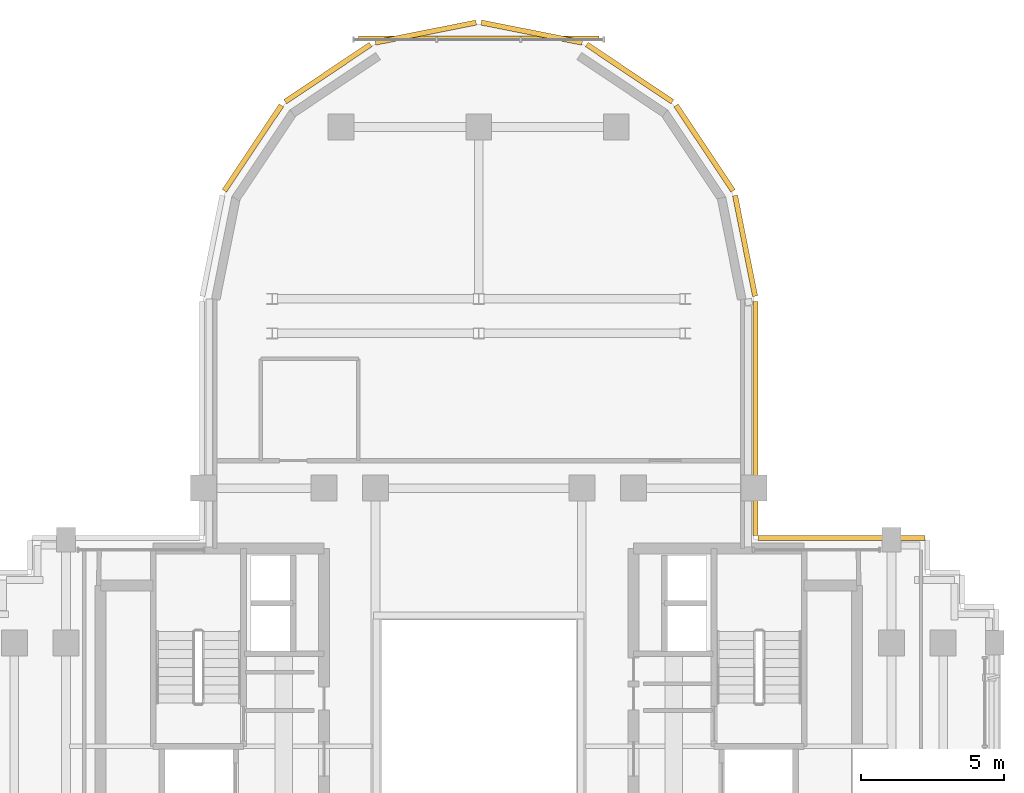
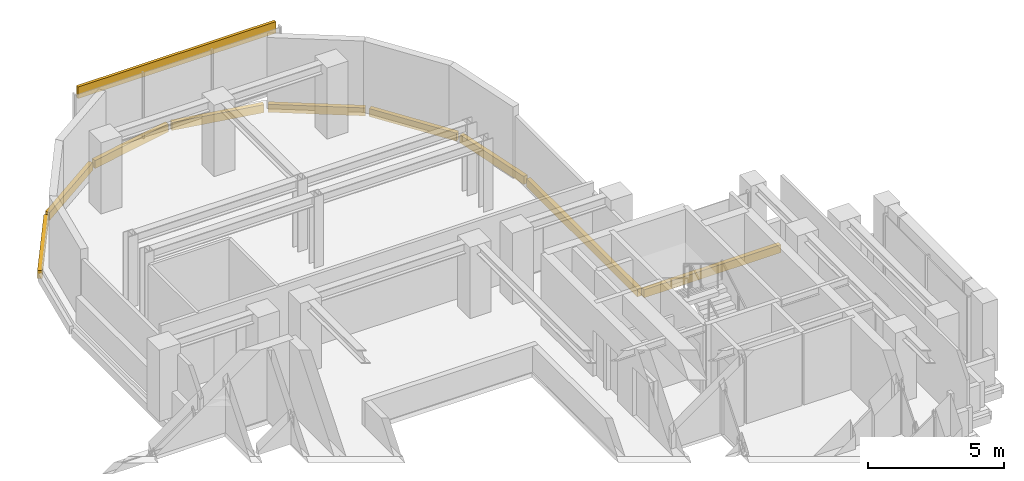
# One storey, part 11 of 11: 10 coverings.
"""IFC4 building model written with IfcOpenShell, lengths in metres."""

import ifcopenshell
import ifcopenshell.guid

model = None  # the IFC model being written
_history = None  # IfcOwnerHistory: only IFC2X3 demands one
_inside = {}  # id of a spatial element -> (the spatial element, [elements in it])
_under = {}  # id of a project, library or spatial element -> (it, [spatial elements below it])
_declared = {}  # id of a project -> (the project, [libraries it declares])
_typed = {}  # id of a type object -> (the type object, [elements of that type])
_made_of = {}  # id of a material, layer set ... -> (it, [elements and type objects made of it])


def new_model(schema):
    """Start an empty IFC model of exactly this schema.

    Asked for "IFC4X3", IfcOpenShell would pick the latest addendum, in which some entities
    have other attributes; the version numbers below select the first issue.
    IFC2X3 requires an IfcOwnerHistory on every rooted entity: one is made here for all.
    """
    global model, _history
    if schema == "IFC4X3":
        model = ifcopenshell.file(schema_version=(4, 3, 0, 0))
    else:
        model = ifcopenshell.file(schema=schema)
    _inside.clear()
    _under.clear()
    _declared.clear()
    _typed.clear()
    _made_of.clear()
    _history = None
    if model.schema == "IFC2X3":
        org = make("IfcOrganization", Name="unknown")
        user = make(
            "IfcPersonAndOrganization",
            ThePerson=make("IfcPerson", FamilyName="unknown"),
            TheOrganization=org,
        )
        app = make(
            "IfcApplication",
            ApplicationDeveloper=org,
            Version="unknown",
            ApplicationFullName="unknown",
            ApplicationIdentifier="unknown",
        )
        _history = make(
            "IfcOwnerHistory",
            OwningUser=user,
            OwningApplication=app,
            ChangeAction="ADDED",
            CreationDate=0,
        )
    return model


def make(cls, **values):
    """One entity of the class cls with the attributes given. An attribute that is None is left unset."""
    return model.create_entity(
        cls, **{name: value for name, value in values.items() if value is not None}
    )


def rooted(cls, **values):
    """An entity with a GlobalId (a new one), such as an element, a storey or a relation."""
    return make(cls, GlobalId=ifcopenshell.guid.new(), OwnerHistory=_history, **values)


def si_unit(unit_type, name, prefix=None):
    """IfcSIUnit, for example si_unit("LENGTHUNIT", "METRE", prefix="MILLI")."""
    return make("IfcSIUnit", UnitType=unit_type, Prefix=prefix, Name=name)


def assignment(units):
    """IfcUnitAssignment: the units of a project."""
    return None if units is None else make("IfcUnitAssignment", Units=units)


def point(xyz):
    """IfcCartesianPoint."""
    return None if xyz is None else make("IfcCartesianPoint", Coordinates=xyz)


def direction(xyz):
    """IfcDirection."""
    return None if xyz is None else make("IfcDirection", DirectionRatios=xyz)


def frame(location, z_axis=None, x_axis=None):
    """IfcAxis2Placement3D, a coordinate frame: its origin and axes. An axis left out is left unset."""
    return make(
        "IfcAxis2Placement3D",
        Location=point(location),
        Axis=direction(z_axis),
        RefDirection=direction(x_axis),
    )


def frame_2d(location, x_axis=None):
    """IfcAxis2Placement2D, a coordinate frame in the plane: its origin and x axis."""
    return make(
        "IfcAxis2Placement2D", Location=point(location), RefDirection=direction(x_axis)
    )


def origin():
    """The frame at (0, 0, 0) with its axes left unset."""
    return frame((0.0, 0.0, 0.0))


def origin_2d():
    """The frame at (0, 0) in the plane with its x axis left unset."""
    return frame_2d((0.0, 0.0))


def place(relative_to, where):
    """IfcLocalPlacement: puts the frame where relative to a parent placement (None: the world)."""
    return make(
        "IfcLocalPlacement", PlacementRelTo=relative_to, RelativePlacement=where
    )


def context(
    kind, dimensions, precision=None, world=None, true_north=None, identifier=None
):
    """IfcGeometricRepresentationContext, for example the 3D "Model" context."""
    return make(
        "IfcGeometricRepresentationContext",
        ContextIdentifier=identifier,
        ContextType=kind,
        CoordinateSpaceDimension=dimensions,
        Precision=precision,
        WorldCoordinateSystem=world,
        TrueNorth=true_north,
    )


def subcontext(parent, identifier, kind, view, scale=None):
    """IfcGeometricRepresentationSubContext, for example "Body" below "Model"."""
    return make(
        "IfcGeometricRepresentationSubContext",
        ContextIdentifier=identifier,
        ContextType=kind,
        ParentContext=parent,
        TargetScale=scale,
        TargetView=view,
    )


def project(units=None, contexts=None):
    """IfcProject with its units and contexts."""
    return rooted(
        "IfcProject",
        Name="project",
        RepresentationContexts=contexts,
        UnitsInContext=assignment(units),
    )


def spatial(cls, under=None, at=None, **own):
    """A site, building, storey or space (cls), placed at a placement, below another one or the project."""
    s = rooted(cls, ObjectPlacement=at, **own)
    if under is not None:
        _under.setdefault(under.id(), (under, []))[1].append(s)
    return s


def profile(cls, at=None, kind="AREA", **sizes):
    """A parametric profile (cls). Its sizes go by their IFC names, for example OverallWidth=200.0."""
    return make(cls, ProfileType=kind, Position=at, **sizes)


def rectangle(**sizes):
    """IfcRectangleProfileDef."""
    return profile("IfcRectangleProfileDef", **sizes)


def extrude(swept, where, along, depth):
    """IfcExtrudedAreaSolid: the profile swept, set in the frame where, extruded along a direction by depth."""
    return make(
        "IfcExtrudedAreaSolid",
        SweptArea=swept,
        Position=where,
        ExtrudedDirection=direction(along),
        Depth=depth,
    )


def shape(context_of_items, identifier, shape_type, items):
    """IfcShapeRepresentation: the items that make up one representation, for example the "Body"."""
    return make(
        "IfcShapeRepresentation",
        ContextOfItems=context_of_items,
        RepresentationIdentifier=identifier,
        RepresentationType=shape_type,
        Items=items,
    )


def source(mapping_origin, context_of_items, identifier, shape_type, items):
    """IfcRepresentationMap: a shape defined once, which mapped items show again and again."""
    return make(
        "IfcRepresentationMap",
        MappingOrigin=mapping_origin,
        MappedRepresentation=shape(context_of_items, identifier, shape_type, items),
    )


def transform(
    local_origin,
    x_axis=None,
    y_axis=None,
    z_axis=None,
    scale=None,
    scale2=None,
    scale3=None,
    uniform=True,
):
    """IfcCartesianTransformationOperator3D, or its non-uniform kind. x_axis, y_axis, z_axis: its Axis1, 2, 3."""
    if uniform:
        return make(
            "IfcCartesianTransformationOperator3D",
            Axis1=direction(x_axis),
            Axis2=direction(y_axis),
            LocalOrigin=point(local_origin),
            Scale=scale,
            Axis3=direction(z_axis),
        )
    return make(
        "IfcCartesianTransformationOperator3DnonUniform",
        Axis1=direction(x_axis),
        Axis2=direction(y_axis),
        LocalOrigin=point(local_origin),
        Scale=scale,
        Axis3=direction(z_axis),
        Scale2=scale2,
        Scale3=scale3,
    )


def mapped(mapping_source, mapping_target):
    """IfcMappedItem: shows the shape of a source again, moved by a transform."""
    return make(
        "IfcMappedItem", MappingSource=mapping_source, MappingTarget=mapping_target
    )


def material(Name=None, Category=None):
    """IfcMaterial."""
    return make("IfcMaterial", Name=Name, Category=Category)


def layer(
    of_material, thickness, ventilated=None, Name=None, Category=None, Priority=None
):
    """IfcMaterialLayer: one layer of a wall or slab, of a material (None: an air gap)."""
    return make(
        "IfcMaterialLayer",
        Material=of_material,
        LayerThickness=thickness,
        IsVentilated=ventilated,
        Name=Name,
        Category=Category,
        Priority=Priority,
    )


def layer_set(layers, Name=None):
    """IfcMaterialLayerSet."""
    return make("IfcMaterialLayerSet", MaterialLayers=layers, LayerSetName=Name)


def made_of(thing, what):
    """Note that an element or type object is made of a material, layer set ...; save() writes the relation."""
    if what is not None:
        _made_of.setdefault(what.id(), (what, []))[1].append(thing)
    return thing


def type_object(cls, material=None, **own):
    """A type object (cls), such as IfcWallType, which elements share."""
    return made_of(rooted(cls, **own), material)


def element(
    cls,
    number,
    at=None,
    inside=None,
    cuts=None,
    type_object=None,
    material=None,
    context=None,
    identifier="Body",
    shape_type=None,
    held_by="IfcProductDefinitionShape",
    body=None,
    shapes=None,
    **own,
):
    """One element of the class cls, such as IfcWall. Its Tag is "e" and its number.

    at: its placement. inside: the storey or other place that contains it. cuts: it is an
    opening in that element (IfcRelVoidsElement). A single representation is given by context,
    identifier, shape_type and body (its items); several are given by shapes. held_by: the class
    of the entity that holds the representations. save() writes the other relations.
    """
    e = rooted(cls, Tag="e%d" % number, ObjectPlacement=at, **own)
    if body is not None:
        shapes = [shape(context, identifier, shape_type, body)]
    if shapes is not None:
        e.Representation = make(held_by, Representations=shapes)
    if inside is not None:
        _inside.setdefault(inside.id(), (inside, []))[1].append(e)
    if cuts is not None:
        rooted(
            "IfcRelVoidsElement", RelatingBuildingElement=cuts, RelatedOpeningElement=e
        )
    if type_object is not None:
        _typed.setdefault(type_object.id(), (type_object, []))[1].append(e)
    return made_of(e, material)


def aggregate(whole, parts):
    """IfcRelAggregates: a whole, such as a stair, and the parts it consists of."""
    return rooted("IfcRelAggregates", RelatingObject=whole, RelatedObjects=parts)


def save(model, path):
    """Write the relations noted so far, then the file.

    IfcRelAggregates (storeys below a building ...), IfcRelContainedInSpatialStructure (elements
    in a storey), IfcRelDefinesByType, IfcRelAssociatesMaterial and IfcRelDeclares: one each for
    every whole, place, type object, material and project.
    """
    for whole, parts in _under.values():
        aggregate(whole, parts)
    for where, things in _inside.values():
        rooted(
            "IfcRelContainedInSpatialStructure",
            RelatedElements=things,
            RelatingStructure=where,
        )
    for kind, things in _typed.values():
        rooted("IfcRelDefinesByType", RelatedObjects=things, RelatingType=kind)
    for what, things in _made_of.values():
        rooted("IfcRelAssociatesMaterial", RelatedObjects=things, RelatingMaterial=what)
    for by, libraries in _declared.values():
        rooted("IfcRelDeclares", RelatingContext=by, RelatedDefinitions=libraries)
    model.write(path)


model = new_model("IFC4")

# Units and contexts
model_context = context("Model", 3, precision=1e-05, world=origin(), true_north=direction((0.0, 1.0)))
body_context = subcontext(model_context, "Body", "Model", "MODEL_VIEW")
ifc_project = project(units=[si_unit("LENGTHUNIT", "METRE"), si_unit("AREAUNIT", "SQUARE_METRE"), si_unit("VOLUMEUNIT", "CUBIC_METRE"), si_unit("PLANEANGLEUNIT", "RADIAN"), si_unit("MASSUNIT", "GRAM", prefix="KILO")], contexts=[model_context])

# Site, building, storey
site_placement = place(None, origin())
site = spatial("IfcSite", under=ifc_project, at=site_placement, CompositionType="ELEMENT")
building_placement = place(site_placement, origin())
building = spatial("IfcBuilding", under=site, at=building_placement, Name="Keilestroom Media Tower", CompositionType="ELEMENT")
storey_placement = place(building_placement, frame((0.0, 0.0, 163.800048828125)))
storey = spatial("IfcBuildingStorey", under=building, at=storey_placement, Name="L44", CompositionType="ELEMENT", Elevation=163.800048828125)

# Coverings
ifc_material = material(Name="Precast concrete C40/50", Category="concrete")
ifc_layer = layer(ifc_material, 0.1201171875)
ifc_layer_set = layer_set([ifc_layer], Name="Precast concrete C40/50")
covering_type = type_object("IfcCoveringType", Name="Exterior-Precast-Spandrel-Cladding-Panel-120", PredefinedType="CLADDING", material=ifc_layer_set)
shared_shape_1 = source(origin(), body_context, "Body", "SweptSolid", [
    extrude(rectangle(XDim=8.39990234375, YDim=0.1201171875, at=origin_2d()), origin(), (0.0, 0.0, 1.0), 0.52001953125),
])
covering_1_placement = place(storey_placement, frame((0.0, 24.719970703125, 2.68994140625), z_axis=(0.0, 0.0, 1.0), x_axis=(1.0, 0.0, 0.0)))
element("IfcCovering", 1, at=covering_1_placement, inside=storey, type_object=covering_type, Name="L44 Precast Spandrel Cladding N", PredefinedType="CLADDING", context=body_context, shape_type="MappedRepresentation", body=[
    mapped(shared_shape_1, transform((0.0, 0.0, 0.0), x_axis=(1.0, 0.0, 0.0), y_axis=(0.0, 1.0, 0.0), z_axis=(0.0, 0.0, 1.0), scale=1.0)),
])
shared_shape_2 = source(origin(), body_context, "Body", "SweptSolid", [
    extrude(rectangle(XDim=8.166015625, YDim=0.179931640625, at=origin_2d()), origin(), (0.0, 0.0, 1.0), 0.360107421875),
])
covering_2_placement = place(storey_placement, frame((9.659912109375, 11.43310546875, -0.5400390625), z_axis=(0.0, 0.0, 1.0), x_axis=(0.0, -1.0, 0.0)))
element("IfcCovering", 2, at=covering_2_placement, inside=storey, type_object=covering_type, Name="L44 Precast Slab-Edge Fascia Cornice 36", PredefinedType="CLADDING", context=body_context, shape_type="MappedRepresentation", body=[
    mapped(shared_shape_2, transform((0.0, 0.0, 0.0), x_axis=(1.0, 0.0, 0.0), y_axis=(0.0, 1.0, 0.0), z_axis=(0.0, 0.0, 1.0), scale=1.0)),
])
shared_shape_3 = source(origin(), body_context, "Body", "SweptSolid", [
    extrude(rectangle(XDim=3.58349609375, YDim=0.179931640625, at=origin_2d()), origin(), (0.0, 0.0, 1.0), 0.360107421875),
])
covering_3_placement = place(storey_placement, frame((9.29296875, 17.45166015625, -0.5400390625), z_axis=(0.0, 0.0, 1.0), x_axis=(0.195098880975, -0.980783577882, 0.0)))
element("IfcCovering", 3, at=covering_3_placement, inside=storey, type_object=covering_type, Name="L44 Precast Slab-Edge Fascia Cornice 35", PredefinedType="CLADDING", context=body_context, shape_type="MappedRepresentation", body=[
    mapped(shared_shape_3, transform((0.0, 0.0, 0.0), x_axis=(1.0, 0.0, 0.0), y_axis=(0.0, 1.0, 0.0), z_axis=(0.0, 0.0, 1.0), scale=1.0)),
])
shared_shape_4 = source(origin(), body_context, "Body", "SweptSolid", [
    extrude(rectangle(XDim=3.589599609375, YDim=0.179931640625, at=origin_2d()), origin(), (0.0, 0.0, 1.0), 0.360107421875),
])
for number, where, z_axis, x_axis, name in (
    (4, (-7.878662109375, 20.8642578125, -0.5400390625), (0.0, 0.0, 1.0), (0.555574586577, 0.831466703332, 0.0), "L44 Precast Slab-Edge Fascia Cornice 29"),
    (5, (-5.264404296875, 23.478515625, -0.5400390625), (0.0, 0.0, 1.0), (0.831466703332, 0.555574586577, 0.0), "L44 Precast Slab-Edge Fascia Cornice 30"),
    (6, (-1.8486328125, 24.893310546875, -0.5400390625), (0.0, 0.0, 1.0), (0.980783577882, 0.195098880975, 0.0), "L44 Precast Slab-Edge Fascia Cornice 31"),
    (7, (1.8486328125, 24.893310546875, -0.5400390625), (0.0, 0.0, 1.0), (0.980783577882, -0.195098880975, 0.0), "L44 Precast Slab-Edge Fascia Cornice 32"),
    (8, (5.264404296875, 23.478515625, -0.5400390625), (0.0, 0.0, 1.0), (0.831466703332, -0.555574586577, 0.0), "L44 Precast Slab-Edge Fascia Cornice 33"),
    (9, (7.878662109375, 20.8642578125, -0.5400390625), (0.0, 0.0, 1.0), (0.555574586577, -0.831466703332, 0.0), "L44 Precast Slab-Edge Fascia Cornice 34"),
):
    element("IfcCovering", number, at=place(storey_placement, frame(where, z_axis=z_axis, x_axis=x_axis)), inside=storey, type_object=covering_type, Name=name, PredefinedType="CLADDING", context=body_context, shape_type="MappedRepresentation", body=[
        mapped(shared_shape_4, transform((0.0, 0.0, 0.0), x_axis=(1.0, 0.0, 0.0), y_axis=(0.0, 1.0, 0.0), z_axis=(0.0, 0.0, 1.0), scale=1.0)),
    ])
shared_shape_5 = source(origin(), body_context, "Body", "SweptSolid", [
    extrude(rectangle(XDim=5.820068359375, YDim=0.179931640625, at=origin_2d()), origin(), (0.0, 0.0, 1.0), 0.360107421875),
])
covering_4_placement = place(storey_placement, frame((12.659912109375, 7.260009765625, -0.5400390625), z_axis=(0.0, 0.0, 1.0), x_axis=(1.0, 0.0, 0.0)))
element("IfcCovering", 10, at=covering_4_placement, inside=storey, type_object=covering_type, Name="L44 Precast Slab-Edge Fascia Cornice 37", PredefinedType="CLADDING", context=body_context, shape_type="MappedRepresentation", body=[
    mapped(shared_shape_5, transform((0.0, 0.0, 0.0), x_axis=(1.0, 0.0, 0.0), y_axis=(0.0, 1.0, 0.0), z_axis=(0.0, 0.0, 1.0), scale=1.0)),
])

save(model, "model.ifc")
